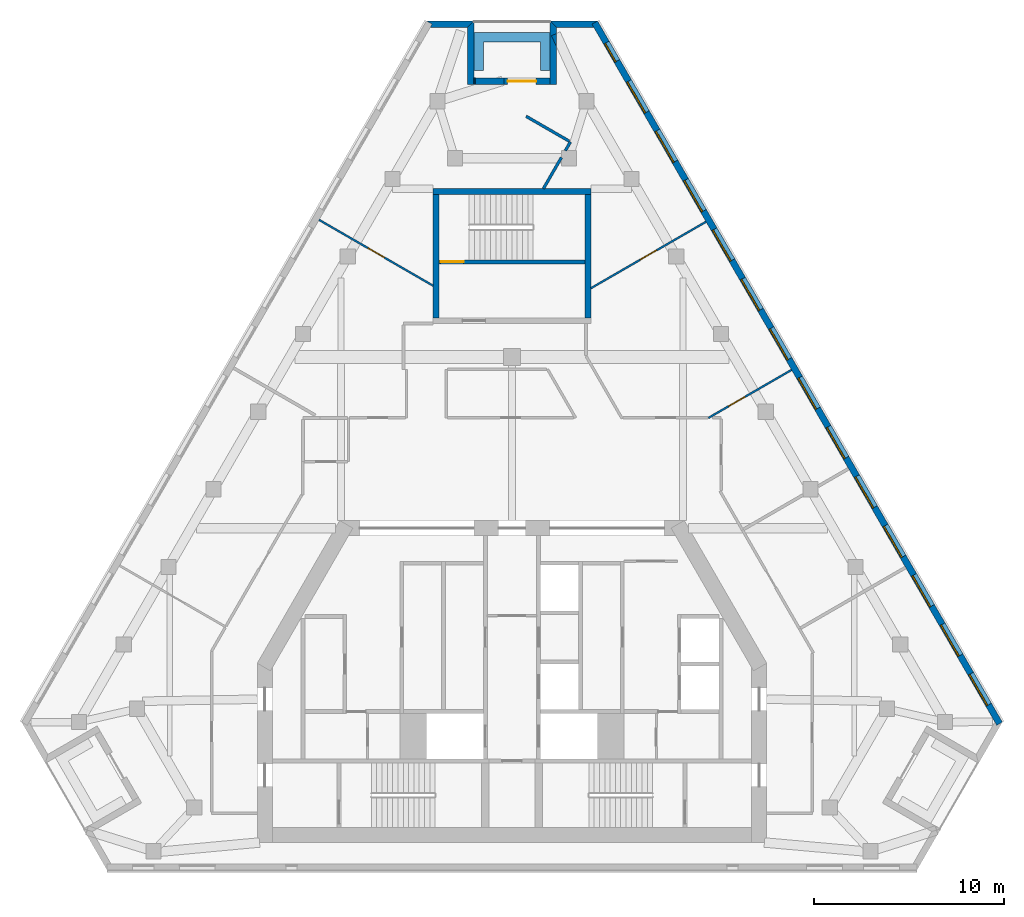
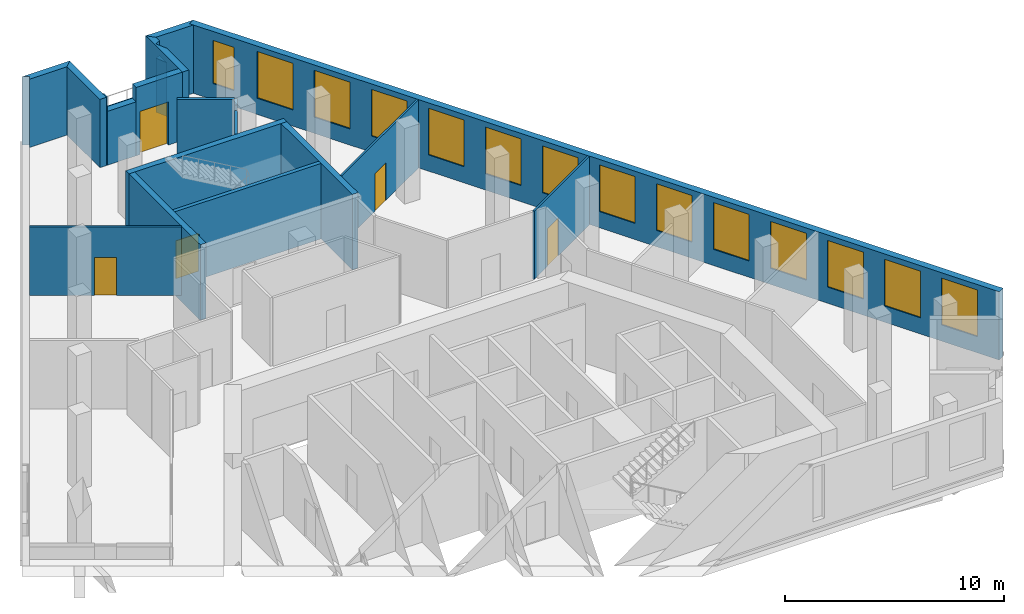
# One storey, part 6 of 8: 20 walls, 14 windows, 5 doors, 19 openings.
"""IFC4 building model written with IfcOpenShell, lengths in metres."""

from ifc_helpers import new_model, si_unit, direction, frame, frame_2d, origin, place, context, subcontext, project, spatial, polyline, rectangle, outline, extrude, material, layer, layer_set, type_object, element, fill, save


model = new_model("IFC4")

# Units and contexts
model_context = context("Model", 3, precision=1e-05, world=origin(), true_north=direction((0.0, 1.0)))
body_context = subcontext(model_context, "Body", "Model", "MODEL_VIEW")
ifc_project = project(units=[si_unit("LENGTHUNIT", "METRE"), si_unit("AREAUNIT", "SQUARE_METRE"), si_unit("VOLUMEUNIT", "CUBIC_METRE"), si_unit("PLANEANGLEUNIT", "RADIAN"), si_unit("MASSUNIT", "GRAM", prefix="KILO")], contexts=[model_context])

# Site, building, storey
site_placement = place(None, origin())
site = spatial("IfcSite", under=ifc_project, at=site_placement, CompositionType="ELEMENT")
building_placement = place(site_placement, origin())
building = spatial("IfcBuilding", under=site, at=building_placement, Name="Fogline Exchange Tower", CompositionType="ELEMENT")
storey_placement = place(building_placement, frame((0.0, 0.0, 266.699951171875)))
storey = spatial("IfcBuildingStorey", under=building, at=storey_placement, Name="L60", CompositionType="ELEMENT", Elevation=266.699951171875)

# Wall, opening, door
ifc_material_1 = material(Name="Concrete C40", Category="concrete")
ifc_layer_1 = layer(ifc_material_1, 0.199951171875)
ifc_layer_set_1 = layer_set([ifc_layer_1], Name="CW20R")
wall_type_1 = type_object("IfcWallType", Name="CW20R", PredefinedType="SOLIDWALL", material=ifc_layer_set_1)
wall_1_placement = place(storey_placement, frame((-3.85009765625, 32.007080078125, -0.39990234375), z_axis=(0.0, 0.0, 1.0), x_axis=(1.0, 0.0, 0.0)))
wall_1 = element("IfcWall", 1, at=wall_1_placement, inside=storey, type_object=wall_type_1, Name="Stair enclosure wall ST3", PredefinedType="SOLIDWALL", context=body_context, shape_type="SweptSolid", body=[
    extrude(rectangle(XDim=7.7001953125, YDim=0.199951171875, at=frame_2d((3.85009765625, 0.0))), origin(), (0.0, 0.0, 1.0), 4.199951171875),
])
opening_1_placement = place(wall_1_placement, frame((0.10009765625, 0.0, 0.39990234375)))
opening_1 = element("IfcOpeningElement", 2, at=opening_1_placement, cuts=wall_1, Name="Opening T19-C023", PredefinedType="OPENING", context=body_context, shape_type="SweptSolid", body=[
    extrude(rectangle(XDim=1.199951171875, YDim=2.10009765625, at=frame_2d((0.60009765625, 1.050048828125))), frame((0.0, 0.10986328125, 0.0), z_axis=(0.0, -1.0, 0.0), x_axis=(1.0, 0.0, 0.0)), (0.0, 0.0, 1.0), 0.219970703125),
])
ifc_material_2 = material(Name="Steel and timber fire door", Category="steel")
door_type_1 = type_object("IfcDoorType", Name="D-ST1", OperationType="SINGLE_SWING_LEFT", PredefinedType="DOOR", material=ifc_material_2)
door_1_placement = place(opening_1_placement, origin())
door_1 = element("IfcDoor", 3, at=door_1_placement, inside=storey, type_object=door_type_1, Name="Stair door ST3", OperationType="SINGLE_SWING_LEFT", OverallHeight=2.10009765625, OverallWidth=1.199951171875, PredefinedType="DOOR", context=body_context, shape_type="SweptSolid", body=[
    extrude(rectangle(XDim=1.199951171875, YDim=2.10009765625, at=frame_2d((0.60009765625, 1.050048828125))), frame((0.0, 0.02490234375, 0.0), z_axis=(0.0, -1.0, 0.0), x_axis=(1.0, 0.0, 0.0)), (0.0, 0.0, 1.0), 0.050048828125),
])
fill(opening_1, door_1)

# Walls
ifc_layer_2 = layer(ifc_material_1, 0.300048828125)
ifc_layer_set_2 = layer_set([ifc_layer_2], Name="CW30")
wall_type_2 = type_object("IfcWallType", Name="CW30", PredefinedType="SOLIDWALL", material=ifc_layer_set_2)
wall_2_placement = place(storey_placement, frame((-4.14990234375, 35.70703125, -0.39990234375), z_axis=(0.0, 0.0, 1.0), x_axis=(1.0, 0.0, 0.0)))
element("IfcWall", 4, at=wall_2_placement, inside=storey, type_object=wall_type_2, Name="Stair enclosure wall ST3", PredefinedType="SOLIDWALL", context=body_context, shape_type="SweptSolid", body=[
    extrude(rectangle(XDim=8.2998046875, YDim=0.300048828125, at=frame_2d((4.14990234375, 0.0))), origin(), (0.0, 0.0, 1.0), 4.199951171875),
])
for number, where, z_axis, x_axis, name in (
    (5, (-4.0, 29.056884765625, -0.39990234375), (0.0, 0.0, 1.0), (0.0, 1.0, 0.0), "Stair enclosure wall ST3"),
    (6, (4.0, 29.056884765625, -0.39990234375), (0.0, 0.0, 1.0), (0.0, 1.0, 0.0), "Stair enclosure wall ST3"),
):
    element("IfcWall", number, at=place(storey_placement, frame(where, z_axis=z_axis, x_axis=x_axis)), inside=storey, type_object=wall_type_2, Name=name, PredefinedType="SOLIDWALL", context=body_context, shape_type="SweptSolid", body=[
        extrude(rectangle(XDim=6.5, YDim=0.300048828125, at=frame_2d((3.25, 0.0))), origin(), (0.0, 0.0, 1.0), 4.199951171875),
    ])

# Wall, openings, windows
ifc_material_3 = material(Name="Brick masonry", Category="masonry")
ifc_layer_3 = layer(ifc_material_3, 0.340087890625)
ifc_layer_set_3 = layer_set([ifc_layer_3], Name="FW1")
wall_type_3 = type_object("IfcWallType", Name="FW1", PredefinedType="SOLIDWALL", material=ifc_layer_set_3)
wall_3_placement = place(storey_placement, frame((25.649658203125, 7.709228515625, 0.0), z_axis=(0.0, 0.0, 1.0), x_axis=(-0.499998153541, 0.866026469835, 0.0)))
wall_3 = element("IfcWall", 7, at=wall_3_placement, inside=storey, type_object=wall_type_3, Name="Brick wall L60 E", PredefinedType="SOLIDWALL", context=body_context, shape_type="SweptSolid", body=[
    extrude(rectangle(XDim=42.593994140625, YDim=0.340087890625, at=frame_2d((21.296875, 0.0))), origin(), (0.0, 0.0, 1.0), 3.800048828125),
])
opening_2_placement = place(wall_3_placement, frame((1.1484375, 0.0, 0.89990234375)))
opening_2 = element("IfcOpeningElement", 8, at=opening_2_placement, cuts=wall_3, Name="Opening W3", PredefinedType="OPENING", context=body_context, shape_type="SweptSolid", body=[
    extrude(rectangle(XDim=1.885009765625, YDim=2.60009765625, at=frame_2d((0.9423828125, 1.300048828125))), frame((0.0, 0.18017578125, 0.0), z_axis=(0.0, -1.0, 0.0), x_axis=(1.0, 0.0, 0.0)), (0.0, 0.0, 1.0), 0.360107421875),
])
opening_3_placement = place(wall_3_placement, frame((4.1484375, 0.0, 0.89990234375)))
opening_3 = element("IfcOpeningElement", 9, at=opening_3_placement, cuts=wall_3, Name="Opening W3", PredefinedType="OPENING", context=body_context, shape_type="SweptSolid", body=[
    extrude(rectangle(XDim=1.885009765625, YDim=2.60009765625, at=frame_2d((0.9423828125, 1.300048828125))), frame((0.0, 0.18017578125, 0.0), z_axis=(0.0, -1.0, 0.0), x_axis=(1.0, 0.0, 0.0)), (0.0, 0.0, 1.0), 0.360107421875),
])
opening_4_placement = place(wall_3_placement, frame((7.1484375, 0.0, 0.89990234375)))
opening_4 = element("IfcOpeningElement", 10, at=opening_4_placement, cuts=wall_3, Name="Opening W3", PredefinedType="OPENING", context=body_context, shape_type="SweptSolid", body=[
    extrude(rectangle(XDim=1.885009765625, YDim=2.60009765625, at=frame_2d((0.9423828125, 1.300048828125))), frame((0.0, 0.18017578125, 0.0), z_axis=(0.0, -1.0, 0.0), x_axis=(1.0, 0.0, 0.0)), (0.0, 0.0, 1.0), 0.360107421875),
])
opening_5_placement = place(wall_3_placement, frame((10.1484375, 0.0, 0.89990234375)))
opening_5 = element("IfcOpeningElement", 11, at=opening_5_placement, cuts=wall_3, Name="Opening W3", PredefinedType="OPENING", context=body_context, shape_type="SweptSolid", body=[
    extrude(rectangle(XDim=1.885009765625, YDim=2.60009765625, at=frame_2d((0.9423828125, 1.300048828125))), frame((0.0, 0.18017578125, 0.0), z_axis=(0.0, -1.0, 0.0), x_axis=(1.0, 0.0, 0.0)), (0.0, 0.0, 1.0), 0.360107421875),
])
opening_6_placement = place(wall_3_placement, frame((13.1484375, 0.0, 0.89990234375)))
opening_6 = element("IfcOpeningElement", 12, at=opening_6_placement, cuts=wall_3, Name="Opening W3", PredefinedType="OPENING", context=body_context, shape_type="SweptSolid", body=[
    extrude(rectangle(XDim=1.885009765625, YDim=2.60009765625, at=frame_2d((0.9423828125, 1.300048828125))), frame((0.0, 0.18017578125, 0.0), z_axis=(0.0, -1.0, 0.0), x_axis=(1.0, 0.0, 0.0)), (0.0, 0.0, 1.0), 0.360107421875),
])
opening_7_placement = place(wall_3_placement, frame((16.1484375, 0.0, 0.89990234375)))
opening_7 = element("IfcOpeningElement", 13, at=opening_7_placement, cuts=wall_3, Name="Opening W3", PredefinedType="OPENING", context=body_context, shape_type="SweptSolid", body=[
    extrude(rectangle(XDim=1.885009765625, YDim=2.60009765625, at=frame_2d((0.9423828125, 1.300048828125))), frame((0.0, 0.18017578125, 0.0), z_axis=(0.0, -1.0, 0.0), x_axis=(1.0, 0.0, 0.0)), (0.0, 0.0, 1.0), 0.360107421875),
])
opening_8_placement = place(wall_3_placement, frame((19.1484375, 0.0, 0.89990234375)))
opening_8 = element("IfcOpeningElement", 14, at=opening_8_placement, cuts=wall_3, Name="Opening W3", PredefinedType="OPENING", context=body_context, shape_type="SweptSolid", body=[
    extrude(rectangle(XDim=1.885009765625, YDim=2.60009765625, at=frame_2d((0.9423828125, 1.300048828125))), frame((0.0, 0.18017578125, 0.0), z_axis=(0.0, -1.0, 0.0), x_axis=(1.0, 0.0, 0.0)), (0.0, 0.0, 1.0), 0.360107421875),
])
opening_9_placement = place(wall_3_placement, frame((22.1484375, 0.0, 0.89990234375)))
opening_9 = element("IfcOpeningElement", 15, at=opening_9_placement, cuts=wall_3, Name="Opening W3", PredefinedType="OPENING", context=body_context, shape_type="SweptSolid", body=[
    extrude(rectangle(XDim=1.885009765625, YDim=2.60009765625, at=frame_2d((0.9423828125, 1.300048828125))), frame((0.0, 0.18017578125, 0.0), z_axis=(0.0, -1.0, 0.0), x_axis=(1.0, 0.0, 0.0)), (0.0, 0.0, 1.0), 0.360107421875),
])
opening_10_placement = place(wall_3_placement, frame((25.1484375, 0.0, 0.89990234375)))
opening_10 = element("IfcOpeningElement", 16, at=opening_10_placement, cuts=wall_3, Name="Opening W3", PredefinedType="OPENING", context=body_context, shape_type="SweptSolid", body=[
    extrude(rectangle(XDim=1.885009765625, YDim=2.60009765625, at=frame_2d((0.9423828125, 1.300048828125))), frame((0.0, 0.18017578125, 0.0), z_axis=(0.0, -1.0, 0.0), x_axis=(1.0, 0.0, 0.0)), (0.0, 0.0, 1.0), 0.360107421875),
])
opening_11_placement = place(wall_3_placement, frame((28.1484375, 0.0, 0.89990234375)))
opening_11 = element("IfcOpeningElement", 17, at=opening_11_placement, cuts=wall_3, Name="Opening W3", PredefinedType="OPENING", context=body_context, shape_type="SweptSolid", body=[
    extrude(rectangle(XDim=1.885009765625, YDim=2.60009765625, at=frame_2d((0.9423828125, 1.300048828125))), frame((0.0, 0.18017578125, 0.0), z_axis=(0.0, -1.0, 0.0), x_axis=(1.0, 0.0, 0.0)), (0.0, 0.0, 1.0), 0.360107421875),
])
opening_12_placement = place(wall_3_placement, frame((31.1484375, 0.0, 0.89990234375)))
opening_12 = element("IfcOpeningElement", 18, at=opening_12_placement, cuts=wall_3, Name="Opening W3", PredefinedType="OPENING", context=body_context, shape_type="SweptSolid", body=[
    extrude(rectangle(XDim=1.885009765625, YDim=2.60009765625, at=frame_2d((0.9423828125, 1.300048828125))), frame((0.0, 0.18017578125, 0.0), z_axis=(0.0, -1.0, 0.0), x_axis=(1.0, 0.0, 0.0)), (0.0, 0.0, 1.0), 0.360107421875),
])
opening_13_placement = place(wall_3_placement, frame((34.1484375, 0.0, 0.89990234375)))
opening_13 = element("IfcOpeningElement", 19, at=opening_13_placement, cuts=wall_3, Name="Opening W3", PredefinedType="OPENING", context=body_context, shape_type="SweptSolid", body=[
    extrude(rectangle(XDim=1.885009765625, YDim=2.60009765625, at=frame_2d((0.9423828125, 1.300048828125))), frame((0.0, 0.18017578125, 0.0), z_axis=(0.0, -1.0, 0.0), x_axis=(1.0, 0.0, 0.0)), (0.0, 0.0, 1.0), 0.360107421875),
])
opening_14_placement = place(wall_3_placement, frame((37.1484375, 0.0, 0.89990234375)))
opening_14 = element("IfcOpeningElement", 20, at=opening_14_placement, cuts=wall_3, Name="Opening W3", PredefinedType="OPENING", context=body_context, shape_type="SweptSolid", body=[
    extrude(rectangle(XDim=1.885009765625, YDim=2.60009765625, at=frame_2d((0.9423828125, 1.300048828125))), frame((0.0, 0.18017578125, 0.0), z_axis=(0.0, -1.0, 0.0), x_axis=(1.0, 0.0, 0.0)), (0.0, 0.0, 1.0), 0.360107421875),
])
opening_15_placement = place(wall_3_placement, frame((40.256103515625, 0.0, 0.89990234375)))
opening_15 = element("IfcOpeningElement", 21, at=opening_15_placement, cuts=wall_3, Name="Opening W4", PredefinedType="OPENING", context=body_context, shape_type="SweptSolid", body=[
    extrude(rectangle(XDim=1.114990234375, YDim=2.39990234375, at=frame_2d((0.5576171875, 1.199951171875))), frame((0.0, 0.18017578125, 0.0), z_axis=(0.0, -1.0, 0.0), x_axis=(1.0, 0.0, 0.0)), (0.0, 0.0, 1.0), 0.360107421875),
])
ifc_material_4 = material(Name="Aluminium and glass", Category="aluminium")
window_type_1 = type_object("IfcWindowType", Name="W3", PartitioningType="SINGLE_PANEL", PredefinedType="WINDOW", material=ifc_material_4)
window_1_placement = place(opening_2_placement, origin())
window_1 = element("IfcWindow", 22, at=window_1_placement, inside=storey, type_object=window_type_1, Name="W3 W3", OverallHeight=2.60009765625, OverallWidth=1.885009765625, PartitioningType="SINGLE_PANEL", PredefinedType="WINDOW", context=body_context, shape_type="SweptSolid", body=[
    extrude(rectangle(XDim=1.885009765625, YDim=2.60009765625, at=frame_2d((0.9423828125, 1.300048828125))), frame((0.0, 0.110107421875, 0.0), z_axis=(0.0, -1.0, 0.0), x_axis=(1.0, 0.0, 0.0)), (0.0, 0.0, 1.0), 0.06005859375),
])
fill(opening_2, window_1)
window_2_placement = place(opening_3_placement, origin())
window_2 = element("IfcWindow", 23, at=window_2_placement, inside=storey, type_object=window_type_1, Name="W3 W3", OverallHeight=2.60009765625, OverallWidth=1.885009765625, PartitioningType="SINGLE_PANEL", PredefinedType="WINDOW", context=body_context, shape_type="SweptSolid", body=[
    extrude(rectangle(XDim=1.885009765625, YDim=2.60009765625, at=frame_2d((0.9423828125, 1.300048828125))), frame((0.0, 0.110107421875, 0.0), z_axis=(0.0, -1.0, 0.0), x_axis=(1.0, 0.0, 0.0)), (0.0, 0.0, 1.0), 0.06005859375),
])
fill(opening_3, window_2)
window_3_placement = place(opening_4_placement, origin())
window_3 = element("IfcWindow", 24, at=window_3_placement, inside=storey, type_object=window_type_1, Name="W3 W3", OverallHeight=2.60009765625, OverallWidth=1.885009765625, PartitioningType="SINGLE_PANEL", PredefinedType="WINDOW", context=body_context, shape_type="SweptSolid", body=[
    extrude(rectangle(XDim=1.885009765625, YDim=2.60009765625, at=frame_2d((0.9423828125, 1.300048828125))), frame((0.0, 0.110107421875, 0.0), z_axis=(0.0, -1.0, 0.0), x_axis=(1.0, 0.0, 0.0)), (0.0, 0.0, 1.0), 0.06005859375),
])
fill(opening_4, window_3)
window_4_placement = place(opening_5_placement, origin())
window_4 = element("IfcWindow", 25, at=window_4_placement, inside=storey, type_object=window_type_1, Name="W3 W3", OverallHeight=2.60009765625, OverallWidth=1.885009765625, PartitioningType="SINGLE_PANEL", PredefinedType="WINDOW", context=body_context, shape_type="SweptSolid", body=[
    extrude(rectangle(XDim=1.885009765625, YDim=2.60009765625, at=frame_2d((0.9423828125, 1.300048828125))), frame((0.0, 0.110107421875, 0.0), z_axis=(0.0, -1.0, 0.0), x_axis=(1.0, 0.0, 0.0)), (0.0, 0.0, 1.0), 0.06005859375),
])
fill(opening_5, window_4)
window_5_placement = place(opening_6_placement, origin())
window_5 = element("IfcWindow", 26, at=window_5_placement, inside=storey, type_object=window_type_1, Name="W3 W3", OverallHeight=2.60009765625, OverallWidth=1.885009765625, PartitioningType="SINGLE_PANEL", PredefinedType="WINDOW", context=body_context, shape_type="SweptSolid", body=[
    extrude(rectangle(XDim=1.885009765625, YDim=2.60009765625, at=frame_2d((0.9423828125, 1.300048828125))), frame((0.0, 0.110107421875, 0.0), z_axis=(0.0, -1.0, 0.0), x_axis=(1.0, 0.0, 0.0)), (0.0, 0.0, 1.0), 0.06005859375),
])
fill(opening_6, window_5)
window_6_placement = place(opening_7_placement, origin())
window_6 = element("IfcWindow", 27, at=window_6_placement, inside=storey, type_object=window_type_1, Name="W3 W3", OverallHeight=2.60009765625, OverallWidth=1.885009765625, PartitioningType="SINGLE_PANEL", PredefinedType="WINDOW", context=body_context, shape_type="SweptSolid", body=[
    extrude(rectangle(XDim=1.885009765625, YDim=2.60009765625, at=frame_2d((0.9423828125, 1.300048828125))), frame((0.0, 0.110107421875, 0.0), z_axis=(0.0, -1.0, 0.0), x_axis=(1.0, 0.0, 0.0)), (0.0, 0.0, 1.0), 0.06005859375),
])
fill(opening_7, window_6)
window_7_placement = place(opening_8_placement, origin())
window_7 = element("IfcWindow", 28, at=window_7_placement, inside=storey, type_object=window_type_1, Name="W3 W3", OverallHeight=2.60009765625, OverallWidth=1.885009765625, PartitioningType="SINGLE_PANEL", PredefinedType="WINDOW", context=body_context, shape_type="SweptSolid", body=[
    extrude(rectangle(XDim=1.885009765625, YDim=2.60009765625, at=frame_2d((0.9423828125, 1.300048828125))), frame((0.0, 0.110107421875, 0.0), z_axis=(0.0, -1.0, 0.0), x_axis=(1.0, 0.0, 0.0)), (0.0, 0.0, 1.0), 0.06005859375),
])
fill(opening_8, window_7)
window_8_placement = place(opening_9_placement, origin())
window_8 = element("IfcWindow", 29, at=window_8_placement, inside=storey, type_object=window_type_1, Name="W3 W3", OverallHeight=2.60009765625, OverallWidth=1.885009765625, PartitioningType="SINGLE_PANEL", PredefinedType="WINDOW", context=body_context, shape_type="SweptSolid", body=[
    extrude(rectangle(XDim=1.885009765625, YDim=2.60009765625, at=frame_2d((0.9423828125, 1.300048828125))), frame((0.0, 0.110107421875, 0.0), z_axis=(0.0, -1.0, 0.0), x_axis=(1.0, 0.0, 0.0)), (0.0, 0.0, 1.0), 0.06005859375),
])
fill(opening_9, window_8)
window_9_placement = place(opening_10_placement, origin())
window_9 = element("IfcWindow", 30, at=window_9_placement, inside=storey, type_object=window_type_1, Name="W3 W3", OverallHeight=2.60009765625, OverallWidth=1.885009765625, PartitioningType="SINGLE_PANEL", PredefinedType="WINDOW", context=body_context, shape_type="SweptSolid", body=[
    extrude(rectangle(XDim=1.885009765625, YDim=2.60009765625, at=frame_2d((0.9423828125, 1.300048828125))), frame((0.0, 0.110107421875, 0.0), z_axis=(0.0, -1.0, 0.0), x_axis=(1.0, 0.0, 0.0)), (0.0, 0.0, 1.0), 0.06005859375),
])
fill(opening_10, window_9)
window_10_placement = place(opening_11_placement, origin())
window_10 = element("IfcWindow", 31, at=window_10_placement, inside=storey, type_object=window_type_1, Name="W3 W3", OverallHeight=2.60009765625, OverallWidth=1.885009765625, PartitioningType="SINGLE_PANEL", PredefinedType="WINDOW", context=body_context, shape_type="SweptSolid", body=[
    extrude(rectangle(XDim=1.885009765625, YDim=2.60009765625, at=frame_2d((0.9423828125, 1.300048828125))), frame((0.0, 0.110107421875, 0.0), z_axis=(0.0, -1.0, 0.0), x_axis=(1.0, 0.0, 0.0)), (0.0, 0.0, 1.0), 0.06005859375),
])
fill(opening_11, window_10)
window_11_placement = place(opening_12_placement, origin())
window_11 = element("IfcWindow", 32, at=window_11_placement, inside=storey, type_object=window_type_1, Name="W3 W3", OverallHeight=2.60009765625, OverallWidth=1.885009765625, PartitioningType="SINGLE_PANEL", PredefinedType="WINDOW", context=body_context, shape_type="SweptSolid", body=[
    extrude(rectangle(XDim=1.885009765625, YDim=2.60009765625, at=frame_2d((0.9423828125, 1.300048828125))), frame((0.0, 0.110107421875, 0.0), z_axis=(0.0, -1.0, 0.0), x_axis=(1.0, 0.0, 0.0)), (0.0, 0.0, 1.0), 0.06005859375),
])
fill(opening_12, window_11)
window_12_placement = place(opening_13_placement, origin())
window_12 = element("IfcWindow", 33, at=window_12_placement, inside=storey, type_object=window_type_1, Name="W3 W3", OverallHeight=2.60009765625, OverallWidth=1.885009765625, PartitioningType="SINGLE_PANEL", PredefinedType="WINDOW", context=body_context, shape_type="SweptSolid", body=[
    extrude(rectangle(XDim=1.885009765625, YDim=2.60009765625, at=frame_2d((0.9423828125, 1.300048828125))), frame((0.0, 0.110107421875, 0.0), z_axis=(0.0, -1.0, 0.0), x_axis=(1.0, 0.0, 0.0)), (0.0, 0.0, 1.0), 0.06005859375),
])
fill(opening_13, window_12)
window_13_placement = place(opening_14_placement, origin())
window_13 = element("IfcWindow", 34, at=window_13_placement, inside=storey, type_object=window_type_1, Name="W3 W3", OverallHeight=2.60009765625, OverallWidth=1.885009765625, PartitioningType="SINGLE_PANEL", PredefinedType="WINDOW", context=body_context, shape_type="SweptSolid", body=[
    extrude(rectangle(XDim=1.885009765625, YDim=2.60009765625, at=frame_2d((0.9423828125, 1.300048828125))), frame((0.0, 0.110107421875, 0.0), z_axis=(0.0, -1.0, 0.0), x_axis=(1.0, 0.0, 0.0)), (0.0, 0.0, 1.0), 0.06005859375),
])
fill(opening_14, window_13)
window_type_2 = type_object("IfcWindowType", Name="W4", PartitioningType="SINGLE_PANEL", PredefinedType="WINDOW", material=ifc_material_4)
window_14_placement = place(opening_15_placement, origin())
window_14 = element("IfcWindow", 35, at=window_14_placement, inside=storey, type_object=window_type_2, Name="W4 W4", OverallHeight=2.39990234375, OverallWidth=1.114990234375, PartitioningType="SINGLE_PANEL", PredefinedType="WINDOW", context=body_context, shape_type="SweptSolid", body=[
    extrude(rectangle(XDim=1.114990234375, YDim=2.39990234375, at=frame_2d((0.5576171875, 1.199951171875))), frame((0.0, 0.110107421875, 0.0), z_axis=(0.0, -1.0, 0.0), x_axis=(1.0, 0.0, 0.0)), (0.0, 0.0, 1.0), 0.06005859375),
])
fill(opening_15, window_14)

# Walls
wall_4_placement = place(storey_placement, origin())
element("IfcWall", 36, at=wall_4_placement, inside=storey, type_object=wall_type_3, Name="Brick wall L60 N-c1", PredefinedType="SOLIDWALL", context=body_context, shape_type="SweptSolid", body=[
    extrude(outline(polyline([(1.9990234375, 44.68212890625), (4.5009765625, 44.68212890625), (4.501220703125, 44.681640625), (4.206298828125, 44.511474609375), (4.3046875, 44.341064453125), (2.33984375, 44.341064453125), (1.998779296875, 44.681884765625), (1.9990234375, 44.68212890625)])), origin(), (0.0, 0.0, 1.0), 3.800048828125),
])
wall_5_placement = place(storey_placement, origin())
element("IfcWall", 37, at=wall_5_placement, inside=storey, type_object=wall_type_3, Name="Brick wall L60 N-s1", PredefinedType="SOLIDWALL", context=body_context, shape_type="SweptSolid", body=[
    extrude(outline(polyline([(2.340576171875, 43.32666015625), (2.078369140625, 43.902099609375), (2.340576171875, 44.021484375), (2.340576171875, 43.32666015625)])), origin(), (0.0, 0.0, 1.0), 3.0),
])
wall_6_placement = place(storey_placement, origin())
element("IfcWall", 38, at=wall_6_placement, inside=storey, type_object=wall_type_3, Name="Brick wall L60 N-s1", PredefinedType="SOLIDWALL", context=body_context, shape_type="SweptSolid", body=[
    extrude(outline(polyline([(1.99951171875, 41.341064453125), (1.99951171875, 44.6826171875), (1.999755859375, 44.682861328125), (2.340576171875, 44.341796875), (2.340576171875, 44.021484375), (2.078369140625, 43.902099609375), (2.340576171875, 43.32666015625), (2.340576171875, 41.341064453125), (1.99951171875, 41.341064453125)])), origin(), (0.0, 0.0, 1.0), 3.800048828125),
])

# Wall, opening, door
wall_7_placement = place(storey_placement, frame((2.0, 41.51171875, 0.0), z_axis=(0.0, 0.0, 1.0), x_axis=(-1.0, 0.0, 0.0)))
wall_7 = element("IfcWall", 39, at=wall_7_placement, inside=storey, type_object=wall_type_3, Name="Brick wall L60 N-bk", PredefinedType="SOLIDWALL", context=body_context, shape_type="SweptSolid", body=[
    extrude(rectangle(XDim=2.4296875, YDim=0.340087890625, at=frame_2d((1.21484375, 0.0))), origin(), (0.0, 0.0, 1.0), 3.800048828125),
])
opening_16_placement = place(wall_7_placement, frame((0.729736328125, 0.0, 0.0)))
opening_16 = element("IfcOpeningElement", 40, at=opening_16_placement, cuts=wall_7, Name="Opening T19-E141", PredefinedType="OPENING", context=body_context, shape_type="SweptSolid", body=[
    extrude(rectangle(XDim=1.5, YDim=2.39990234375, at=frame_2d((0.75, 1.199951171875))), frame((0.0, 0.18017578125, 0.0), z_axis=(0.0, -1.0, 0.0), x_axis=(1.0, 0.0, 0.0)), (0.0, 0.0, 1.0), 0.360107421875),
])
door_type_2 = type_object("IfcDoorType", Name="ED4", OperationType="SINGLE_SWING_LEFT", PredefinedType="DOOR", material=ifc_material_4)
door_2_placement = place(opening_16_placement, frame((1.5, 0.0, 0.0), z_axis=(0.0, 0.0, 1.0), x_axis=(-1.0, 0.0, 0.0)))
door_2 = element("IfcDoor", 41, at=door_2_placement, inside=storey, type_object=door_type_2, Name="Balcony door L60 N", OperationType="DOUBLE_DOOR_SINGLE_SWING", OverallHeight=2.39990234375, OverallWidth=1.5, PredefinedType="DOOR", context=body_context, shape_type="SweptSolid", body=[
    extrude(rectangle(XDim=1.5, YDim=2.39990234375, at=frame_2d((0.75, 1.199951171875))), frame((0.0, 0.02490234375, 0.0), z_axis=(0.0, -1.0, 0.0), x_axis=(1.0, 0.0, 0.0)), (0.0, 0.0, 1.0), 0.050048828125),
])
fill(opening_16, door_2)

# Walls
wall_8_placement = place(storey_placement, frame((-0.4296875, 41.51171875, 0.0), z_axis=(0.0, 0.0, 1.0), x_axis=(-1.0, 0.0, 0.0)))
element("IfcWall", 42, at=wall_8_placement, inside=storey, type_object=wall_type_3, Name="Brick wall L60 N-bk", PredefinedType="SOLIDWALL", context=body_context, shape_type="SweptSolid", body=[
    extrude(rectangle(XDim=1.504150390625, YDim=0.340087890625, at=frame_2d((0.751953125, 0.0))), origin(), (0.0, 0.0, 1.0), 3.0),
])
wall_9_placement = place(storey_placement, frame((-1.933837890625, 41.51171875, 0.0), z_axis=(0.0, 0.0, 1.0), x_axis=(-1.0, 0.0, 0.0)))
element("IfcWall", 43, at=wall_9_placement, inside=storey, type_object=wall_type_3, Name="Brick wall L60 N-bk", PredefinedType="SOLIDWALL", context=body_context, shape_type="SweptSolid", body=[
    extrude(rectangle(XDim=0.066162109375, YDim=0.340087890625, at=frame_2d((0.033203125, 0.0))), origin(), (0.0, 0.0, 1.0), 3.800048828125),
])
wall_10_placement = place(storey_placement, origin())
element("IfcWall", 44, at=wall_10_placement, inside=storey, type_object=wall_type_3, Name="Brick wall L60 N-s2", PredefinedType="SOLIDWALL", context=body_context, shape_type="SweptSolid", body=[
    extrude(outline(polyline([(-1.99951171875, 44.6826171875), (-1.99951171875, 41.341064453125), (-2.340576171875, 41.341064453125), (-2.340576171875, 44.341796875), (-1.999755859375, 44.682861328125), (-1.99951171875, 44.6826171875)])), origin(), (0.0, 0.0, 1.0), 3.800048828125),
])
wall_11_placement = place(storey_placement, origin())
element("IfcWall", 45, at=wall_11_placement, inside=storey, type_object=wall_type_3, Name="Brick wall L60 N-c2", PredefinedType="SOLIDWALL", context=body_context, shape_type="SweptSolid", body=[
    extrude(outline(polyline([(-4.3046875, 44.341064453125), (-4.206298828125, 44.511474609375), (-4.501220703125, 44.681640625), (-4.5009765625, 44.68212890625), (-1.9990234375, 44.68212890625), (-1.998779296875, 44.681884765625), (-2.33984375, 44.341064453125), (-4.3046875, 44.341064453125)])), origin(), (0.0, 0.0, 1.0), 3.800048828125),
])
ifc_material_5 = material(Name="Concrete C30", Category="concrete")
ifc_layer_4 = layer(ifc_material_5, 0.199951171875)
ifc_layer_set_4 = layer_set([ifc_layer_4], Name="PL1")
wall_type_4 = type_object("IfcWallType", Name="PL1", PredefinedType="USERDEFINED", material=ifc_layer_set_4)
wall_12_placement = place(storey_placement, origin())
element("IfcWall", 46, at=wall_12_placement, inside=storey, type_object=wall_type_4, Name="PLANTER balcony L60 N", ObjectType="PLANTER", PredefinedType="USERDEFINED", context=body_context, shape_type="SweptSolid", body=[
    extrude(outline(polyline([(-1.5, 44.081787109375), (-2.0, 44.081787109375), (-2.0, 43.581787109375), (-2.0, 42.081787109375), (-1.5, 42.081787109375), (-1.5, 43.581787109375), (1.5, 43.581787109375), (1.5, 42.081787109375), (2.0, 42.081787109375), (2.0, 43.581787109375), (2.0, 44.081787109375), (1.5, 44.081787109375), (-1.5, 44.081787109375)])), origin(), (0.0, 0.0, 1.0), 1.10009765625),
])

# Wall, opening, door
ifc_material_6 = material(Name="Plasterboard partition, 2 layers each side on steel studs", Category="steel")
ifc_layer_5 = layer(ifc_material_6, 0.10009765625)
ifc_layer_set_5 = layer_set([ifc_layer_5], Name="PW1")
wall_type_5 = type_object("IfcWallType", Name="PW1", PredefinedType="PARTITIONING", material=ifc_layer_set_5)
wall_13_placement = place(storey_placement, frame((10.337890625, 23.800048828125, 0.0), z_axis=(0.0, 0.0, 1.0), x_axis=(0.866030860659, 0.499990548297, 0.0)))
wall_13 = element("IfcWall", 47, at=wall_13_placement, inside=storey, type_object=wall_type_5, Name="wall-L60-W026", PredefinedType="PARTITIONING", context=body_context, shape_type="SweptSolid", body=[
    extrude(rectangle(XDim=5.044921875, YDim=0.10009765625, at=frame_2d((2.5224609375, 0.0))), origin(), (0.0, 0.0, 1.0), 3.800048828125),
])
opening_17_placement = place(wall_13_placement, frame((1.216796875, 0.0, 0.0)))
opening_17 = element("IfcOpeningElement", 48, at=opening_17_placement, cuts=wall_13, Name="Opening T19-D010", PredefinedType="OPENING", context=body_context, shape_type="SweptSolid", body=[
    extrude(rectangle(XDim=1.0, YDim=2.10009765625, at=frame_2d((0.5, 1.050048828125))), frame((0.0, 0.06005859375, 0.0), z_axis=(0.0, -1.0, 0.0), x_axis=(1.0, 0.0, 0.0)), (0.0, 0.0, 1.0), 0.1201171875),
])
ifc_material_7 = material(Name="Timber door leaf with steel frame", Category="steel")
door_type_3 = type_object("IfcDoorType", Name="D1", OperationType="SINGLE_SWING_LEFT", PredefinedType="DOOR", material=ifc_material_7)
door_3_placement = place(opening_17_placement, frame((1.0, 0.0, 0.0), z_axis=(0.0, 0.0, 1.0), x_axis=(-1.0, 0.0, 0.0)))
door_3 = element("IfcDoor", 49, at=door_3_placement, inside=storey, type_object=door_type_3, Name="door-L60-D010", OperationType="SINGLE_SWING_RIGHT", OverallHeight=2.10009765625, OverallWidth=1.0, PredefinedType="DOOR", context=body_context, shape_type="SweptSolid", body=[
    extrude(rectangle(XDim=1.0, YDim=2.10009765625, at=frame_2d((0.5, 1.050048828125))), frame((0.0, 0.02490234375, 0.0), z_axis=(0.0, -1.0, 0.0), x_axis=(1.0, 0.0, 0.0)), (0.0, 0.0, 1.0), 0.050048828125),
])
fill(opening_17, door_3)

wall_14_placement = place(storey_placement, frame((4.14990234375, 30.619873046875, 0.0), z_axis=(0.0, 0.0, 1.0), x_axis=(0.866041428101, 0.499972244042, 0.0)))
wall_14 = element("IfcWall", 50, at=wall_14_placement, inside=storey, type_object=wall_type_5, Name="wall-L60-W029", PredefinedType="PARTITIONING", context=body_context, shape_type="SweptSolid", body=[
    extrude(rectangle(XDim=6.994140625, YDim=0.10009765625, at=frame_2d((3.4970703125, 0.0))), origin(), (0.0, 0.0, 1.0), 3.800048828125),
])
opening_18_placement = place(wall_14_placement, frame((2.9970703125, 0.0, 0.0)))
opening_18 = element("IfcOpeningElement", 51, at=opening_18_placement, cuts=wall_14, Name="Opening T19-D011", PredefinedType="OPENING", context=body_context, shape_type="SweptSolid", body=[
    extrude(rectangle(XDim=1.0, YDim=2.10009765625, at=frame_2d((0.5, 1.050048828125))), frame((0.0, 0.06005859375, 0.0), z_axis=(0.0, -1.0, 0.0), x_axis=(1.0, 0.0, 0.0)), (0.0, 0.0, 1.0), 0.1201171875),
])
door_4_placement = place(opening_18_placement, origin())
door_4 = element("IfcDoor", 52, at=door_4_placement, inside=storey, type_object=door_type_3, Name="door-L60-D011", OperationType="SINGLE_SWING_LEFT", OverallHeight=2.10009765625, OverallWidth=1.0, PredefinedType="DOOR", context=body_context, shape_type="SweptSolid", body=[
    extrude(rectangle(XDim=1.0, YDim=2.10009765625, at=frame_2d((0.5, 1.050048828125))), frame((0.0, 0.02490234375, 0.0), z_axis=(0.0, -1.0, 0.0), x_axis=(1.0, 0.0, 0.0)), (0.0, 0.0, 1.0), 0.050048828125),
])
fill(opening_18, door_4)

wall_15_placement = place(storey_placement, frame((-4.14990234375, 30.752685546875, 0.0), z_axis=(0.0, 0.0, 1.0), x_axis=(-0.866037695882, 0.499978708858, 0.0)))
wall_15 = element("IfcWall", 53, at=wall_15_placement, inside=storey, type_object=wall_type_5, Name="wall-L60-W033", PredefinedType="PARTITIONING", context=body_context, shape_type="SweptSolid", body=[
    extrude(rectangle(XDim=6.927490234375, YDim=0.10009765625, at=frame_2d((3.4638671875, 0.0))), origin(), (0.0, 0.0, 1.0), 3.800048828125),
])
opening_19_placement = place(wall_15_placement, frame((2.9638671875, 0.0, 0.0)))
opening_19 = element("IfcOpeningElement", 54, at=opening_19_placement, cuts=wall_15, Name="Opening T19-D012", PredefinedType="OPENING", context=body_context, shape_type="SweptSolid", body=[
    extrude(rectangle(XDim=1.0, YDim=2.10009765625, at=frame_2d((0.5, 1.050048828125))), frame((0.0, 0.06005859375, 0.0), z_axis=(0.0, -1.0, 0.0), x_axis=(1.0, 0.0, 0.0)), (0.0, 0.0, 1.0), 0.1201171875),
])
door_5_placement = place(opening_19_placement, origin())
door_5 = element("IfcDoor", 55, at=door_5_placement, inside=storey, type_object=door_type_3, Name="door-L60-D012", OperationType="SINGLE_SWING_LEFT", OverallHeight=2.10009765625, OverallWidth=1.0, PredefinedType="DOOR", context=body_context, shape_type="SweptSolid", body=[
    extrude(rectangle(XDim=1.0, YDim=2.10009765625, at=frame_2d((0.5, 1.050048828125))), frame((0.0, 0.02490234375, 0.0), z_axis=(0.0, -1.0, 0.0), x_axis=(1.0, 0.0, 0.0)), (0.0, 0.0, 1.0), 0.050048828125),
])
fill(opening_19, door_5)

# Walls
ifc_material_8 = material(Name="Plasterboard demising partition with mineral wool and acoustic board")
ifc_layer_6 = layer(ifc_material_8, 0.14990234375)
ifc_layer_set_6 = layer_set([ifc_layer_6], Name="PW3")
wall_type_6 = type_object("IfcWallType", Name="PW3", PredefinedType="PARTITIONING", material=ifc_layer_set_6)
wall_16_placement = place(storey_placement, frame((1.65185546875, 35.85693359375, 0.0), z_axis=(0.0, 0.0, 1.0), x_axis=(0.500015905979, 0.866016220268, 0.0)))
element("IfcWall", 56, at=wall_16_placement, inside=storey, type_object=wall_type_6, Name="wall-L60-W030", PredefinedType="PARTITIONING", context=body_context, shape_type="SweptSolid", body=[
    extrude(rectangle(XDim=1.896484375, YDim=0.14990234375, at=frame_2d((0.9482421875, 0.0))), origin(), (0.0, 0.0, 1.0), 3.800048828125),
])
wall_17_placement = place(storey_placement, frame((2.806396484375, 37.856689453125, 0.0), z_axis=(0.0, 0.0, 1.0), x_axis=(0.500117793536, 0.865957384972, 0.0)))
element("IfcWall", 57, at=wall_17_placement, inside=storey, type_object=wall_type_6, Name="wall-L60-W031", PredefinedType="PARTITIONING", context=body_context, shape_type="SweptSolid", body=[
    extrude(rectangle(XDim=0.534423828125, YDim=0.14990234375, at=frame_2d((0.26708984375, 0.0))), origin(), (0.0, 0.0, 1.0), 3.800048828125),
])
wall_18_placement = place(storey_placement, frame((3.0087890625, 38.357177734375, 0.0), z_axis=(0.0, 0.0, 1.0), x_axis=(-0.866008611403, 0.50002908413, 0.0)))
element("IfcWall", 58, at=wall_18_placement, inside=storey, type_object=wall_type_6, Name="wall-L60-W032", PredefinedType="PARTITIONING", context=body_context, shape_type="SweptSolid", body=[
    extrude(rectangle(XDim=2.618896484375, YDim=0.14990234375, at=frame_2d((1.3095703125, 0.0))), origin(), (0.0, 0.0, 1.0), 3.800048828125),
])

save(model, "model.ifc")
